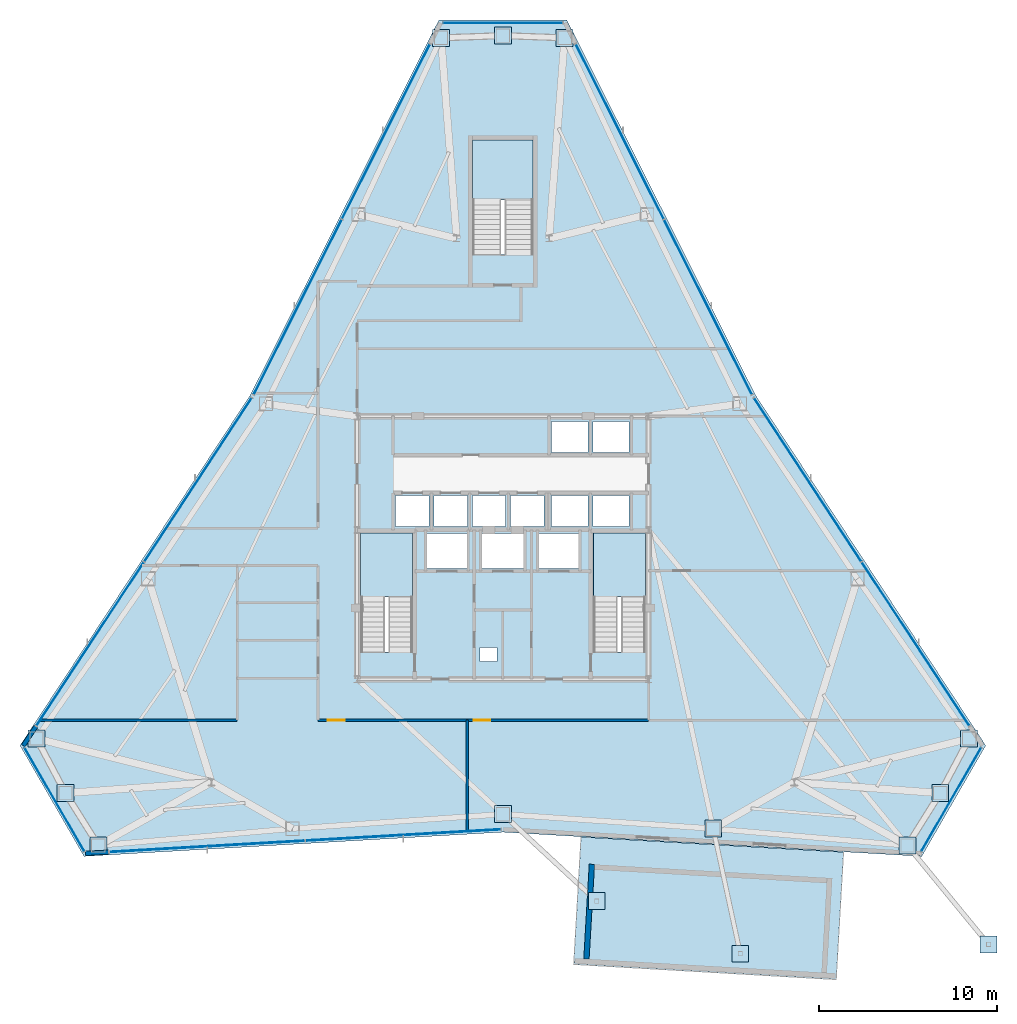
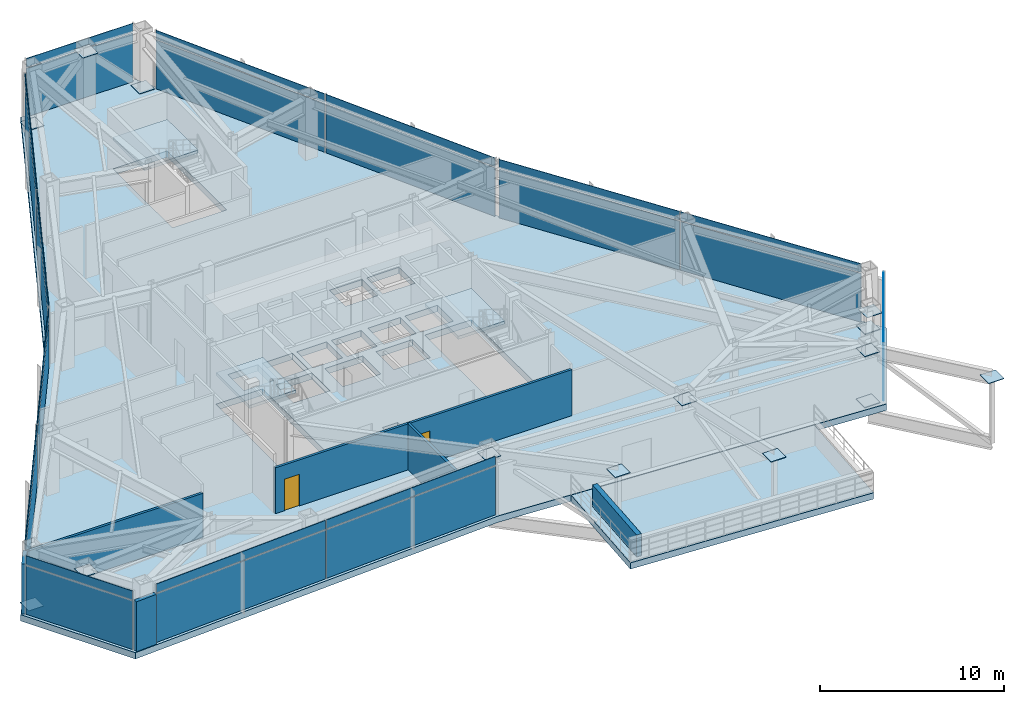
# One storey, part 8 of 13: 41 plates, 6 walls, 5 slabs, 2 doors, 2 openings, 11 elements without a shape of their own.
"""IFC4 building model written with IfcOpenShell, lengths in metres."""

from ifc_helpers import new_model, si_unit, direction, frame, frame_2d, origin, origin_2d, place, context, subcontext, project, spatial, polyline, rectangle, outline, extrude, source, transform, mapped, material, layer, layer_set, type_object, type_shapes, element, fill, aggregate, save


model = new_model("IFC4")

# Units and contexts
model_context = context("Model", 3, precision=1e-05, world=origin(), true_north=direction((0.0, 1.0)))
body_context = subcontext(model_context, "Body", "Model", "MODEL_VIEW")
ifc_project = project(units=[si_unit("LENGTHUNIT", "METRE"), si_unit("AREAUNIT", "SQUARE_METRE"), si_unit("VOLUMEUNIT", "CUBIC_METRE"), si_unit("PLANEANGLEUNIT", "RADIAN"), si_unit("MASSUNIT", "GRAM", prefix="KILO")], contexts=[model_context])

# Site, building, storey
site_placement = place(None, origin())
site = spatial("IfcSite", under=ifc_project, at=site_placement, CompositionType="ELEMENT")
building_placement = place(site_placement, origin())
building = spatial("IfcBuilding", under=site, at=building_placement, Name="Varakhsha Concourse Tower", CompositionType="ELEMENT")
storey_placement = place(building_placement, frame((0.0, 0.0, 196.5)))
storey = spatial("IfcBuildingStorey", under=building, at=storey_placement, Name="L56", CompositionType="ELEMENT", Elevation=196.5)

# Slab
ifc_material_1 = material(Name="Concrete fc 45 MPa", Category="concrete")
ifc_layer_1 = layer(ifc_material_1, 0.419921875, Name="SL-FLR-420")
ifc_layer_set_1 = layer_set([ifc_layer_1], Name="Concrete fc 45 MPa")
slab_type_1 = type_object("IfcSlabType", Name="SL-FLR-420", PredefinedType="FLOOR", material=ifc_layer_set_1)
slab_1_placement = place(storey_placement, frame((0.0, 0.0, -0.419921875)))
element("IfcSlab", 1, at=slab_1_placement, inside=storey, type_object=slab_type_1, Name="L56 Composite Structural Slab", PredefinedType="FLOOR", context=body_context, shape_type="SweptSolid", body=[
    extrude(outline(polyline([(43.60009765625, 53.497802734375), (36.39990234375, 53.497802734375), (25.792236328125, 32.40283203125), (12.827392578125, 12.668701171875), (16.42724609375, 6.433349609375), (40.0, 7.794189453125), (63.57275390625, 6.433349609375), (67.172607421875, 12.668701171875), (54.207763671875, 32.40283203125), (43.60009765625, 53.497802734375)]), holes=[polyline([(34.919921875, 17.93994140625), (34.919921875, 24.6298828125), (32.0, 24.6298828125), (32.0, 17.93994140625), (34.919921875, 17.93994140625)]), polyline([(48.02001953125, 17.93994140625), (48.02001953125, 24.6298828125), (45.10009765625, 24.6298828125), (45.10009765625, 17.93994140625), (48.02001953125, 17.93994140625)]), polyline([(41.699951171875, 40.300048828125), (41.699951171875, 46.75), (38.300048828125, 46.75), (38.300048828125, 40.300048828125), (41.699951171875, 40.300048828125)]), polyline([(33.9599609375, 25.0), (35.840087890625, 25.0), (35.840087890625, 26.739990234375), (33.9599609375, 26.739990234375), (33.9599609375, 25.0)]), polyline([(36.1201171875, 25.0), (38.0, 25.0), (38.0, 26.739990234375), (36.1201171875, 26.739990234375), (36.1201171875, 25.0)]), polyline([(38.280029296875, 25.0), (40.159912109375, 25.0), (40.159912109375, 26.739990234375), (38.280029296875, 26.739990234375), (38.280029296875, 25.0)]), polyline([(40.43994140625, 25.0), (42.320068359375, 25.0), (42.320068359375, 26.739990234375), (40.43994140625, 26.739990234375), (40.43994140625, 25.0)]), polyline([(42.739990234375, 29.159912109375), (44.780029296875, 29.159912109375), (44.780029296875, 30.89990234375), (42.739990234375, 30.89990234375), (42.739990234375, 29.159912109375)]), polyline([(45.06005859375, 29.159912109375), (47.10009765625, 29.159912109375), (47.10009765625, 30.89990234375), (45.06005859375, 30.89990234375), (45.06005859375, 29.159912109375)]), polyline([(42.739990234375, 25.0), (44.780029296875, 25.0), (44.780029296875, 26.739990234375), (42.739990234375, 26.739990234375), (42.739990234375, 25.0)]), polyline([(45.06005859375, 25.0), (47.10009765625, 25.0), (47.10009765625, 26.739990234375), (45.06005859375, 26.739990234375), (45.06005859375, 25.0)]), polyline([(35.7099609375, 22.639892578125), (37.989990234375, 22.639892578125), (37.989990234375, 24.60009765625), (35.7099609375, 24.60009765625), (35.7099609375, 22.639892578125)]), polyline([(42.010009765625, 22.639892578125), (44.2900390625, 22.639892578125), (44.2900390625, 24.60009765625), (42.010009765625, 24.60009765625), (42.010009765625, 22.639892578125)]), polyline([(38.81005859375, 22.639892578125), (41.18994140625, 22.639892578125), (41.18994140625, 24.60009765625), (38.81005859375, 24.60009765625), (38.81005859375, 22.639892578125)]), polyline([(38.719970703125, 17.39990234375), (39.679931640625, 17.39990234375), (39.679931640625, 18.199951171875), (38.719970703125, 18.199951171875), (38.719970703125, 17.39990234375)])]), origin(), (0.0, 0.0, 1.0), 0.419921875),
])

# Stair, slab
stair_type_1 = type_object("IfcStairType", Name="ST-DOGLEG-1360", PredefinedType="HALF_TURN_STAIR", material=ifc_material_1)
stair_1_placement = place(storey_placement, origin())
stair_1 = element("IfcStair", 2, at=stair_1_placement, inside=storey, type_object=stair_type_1, Name="L56 Protected Exit Stair ST1", PredefinedType="HALF_TURN_STAIR")
ifc_layer_2 = layer(ifc_material_1, 0.199951171875, Name="SL-LAND-200")
ifc_layer_set_2 = layer_set([ifc_layer_2], Name="Concrete fc 45 MPa")
slab_type_2 = type_object("IfcSlabType", Name="SL-LAND-200", PredefinedType="LANDING", material=ifc_layer_set_2)
slab_2_placement = place(storey_placement, frame((0.0, 0.0, 1.89990234375)))
slab_2 = element("IfcSlab", 3, at=slab_2_placement, type_object=slab_type_2, Name="ST1 landing 1", PredefinedType="LANDING", context=body_context, shape_type="SweptSolid", body=[
    extrude(outline(polyline([(34.919921875, 21.02001953125), (34.919921875, 24.6298828125), (32.0, 24.6298828125), (32.0, 21.02001953125), (34.919921875, 21.02001953125)])), origin(), (0.0, 0.0, 1.0), 0.2001953125),
])
aggregate(stair_1, [slab_2])

stair_2_placement = place(storey_placement, origin())
stair_2 = element("IfcStair", 4, at=stair_2_placement, inside=storey, type_object=stair_type_1, Name="L56 Protected Exit Stair ST2", PredefinedType="HALF_TURN_STAIR")
slab_3_placement = place(storey_placement, frame((0.0, 0.0, 1.89990234375)))
slab_3 = element("IfcSlab", 5, at=slab_3_placement, type_object=slab_type_2, Name="ST2 landing 1", PredefinedType="LANDING", context=body_context, shape_type="SweptSolid", body=[
    extrude(outline(polyline([(48.02001953125, 21.02001953125), (48.02001953125, 24.6298828125), (45.10009765625, 24.6298828125), (45.10009765625, 21.02001953125), (48.02001953125, 21.02001953125)])), origin(), (0.0, 0.0, 1.0), 0.2001953125),
])
aggregate(stair_2, [slab_3])

stair_type_2 = type_object("IfcStairType", Name="ST-DOGLEG-1600", PredefinedType="HALF_TURN_STAIR", material=ifc_material_1)
stair_3_placement = place(storey_placement, origin())
stair_3 = element("IfcStair", 6, at=stair_3_placement, inside=storey, type_object=stair_type_2, Name="L56 Protected Exit Stair ST5", PredefinedType="HALF_TURN_STAIR")
slab_4_placement = place(storey_placement, frame((0.0, 0.0, 1.89990234375)))
slab_4 = element("IfcSlab", 7, at=slab_4_placement, type_object=slab_type_2, Name="ST5 landing 1", PredefinedType="LANDING", context=body_context, shape_type="SweptSolid", body=[
    extrude(outline(polyline([(41.699951171875, 43.3798828125), (41.699951171875, 46.75), (38.300048828125, 46.75), (38.300048828125, 43.3798828125), (41.699951171875, 43.3798828125)])), origin(), (0.0, 0.0, 1.0), 0.2001953125),
])
aggregate(stair_3, [slab_4])

# Slab
ifc_layer_3 = layer(ifc_material_1, 0.419921875, Name="SL-POOL-350")
ifc_layer_set_3 = layer_set([ifc_layer_3], Name="Concrete fc 45 MPa")
slab_type_3 = type_object("IfcSlabType", Name="SL-POOL-350", PredefinedType="FLOOR", material=ifc_layer_set_3)
slab_5_placement = place(storey_placement, frame((0.0, 0.0, -0.419921875)))
element("IfcSlab", 8, at=slab_5_placement, inside=storey, type_object=slab_type_3, Name="L56 Cantilevered Sky Pool Terrace Deck", PredefinedType="FLOOR", context=body_context, shape_type="SweptSolid", body=[
    extrude(outline(polyline([(44.397705078125, 7.525390625), (59.173095703125, 6.67236328125), (58.759033203125, -0.500732421875), (43.983642578125, 0.352294921875), (44.397705078125, 7.525390625)])), origin(), (0.0, 0.0, 1.0), 0.419921875),
])

# Plates
ifc_material_2 = material(Name="Structural Steel ASTM A572 Grade 50", Category="steel")
ifc_layer_4 = layer(ifc_material_2, 0.030029296875, Name="PL-ENDCAP-950")
ifc_layer_set_4 = layer_set([ifc_layer_4], Name="Structural Steel ASTM A572 Grade 50")
plate_type_1 = type_object("IfcPlateType", Name="PL-ENDCAP-950", PredefinedType="USERDEFINED", material=ifc_layer_set_4)
shared_shape_1 = source(origin(), body_context, "Body", "SweptSolid", [
    extrude(rectangle(XDim=0.949951171875, YDim=0.949951171875, at=origin_2d()), origin(), (0.0, 0.0, 1.0), 0.030029296875),
])
type_shapes(plate_type_1, [shared_shape_1])
for number, where, z_axis, x_axis, name in (
    (9, (43.4765625, 52.493408203125, 0.10498046875), (0.0, 0.0, 1.0), (1.0, 0.0, 0.0), "Hollow Section End Cap GP-NODE-L56-0574"),
    (10, (40.0, 52.617919921875, 3.625), (0.0, 0.0, 1.0), (1.0, 0.0, 0.0), "Hollow Section End Cap GP-NODE-L56-0575"),
    (11, (36.5234375, 52.493408203125, 0.10498046875), (0.0, 0.0, 1.0), (1.0, 0.0, 0.0), "Hollow Section End Cap GP-NODE-L56-0576"),
    (12, (13.7587890625, 13.06396484375, 0.10498046875), (0.0, 0.0, 1.0), (1.0, 0.0, 0.0), "Hollow Section End Cap GP-NODE-L56-0577"),
    (13, (15.389404296875, 9.990966796875, 3.625), (0.0, 0.0, 1.0), (1.0, 0.0, 0.0), "Hollow Section End Cap GP-NODE-L56-0578"),
    (14, (17.235595703125, 7.04248046875, 0.10498046875), (0.0, 0.0, 1.0), (1.0, 0.0, 0.0), "Hollow Section End Cap GP-NODE-L56-0579"),
    (15, (62.764404296875, 7.04248046875, 0.10498046875), (0.0, 0.0, 1.0), (1.0, 0.0, 0.0), "Hollow Section End Cap GP-NODE-L56-0580"),
    (16, (64.610595703125, 9.990966796875, 3.625), (0.0, 0.0, 1.0), (1.0, 0.0, 0.0), "Hollow Section End Cap GP-NODE-L56-0581"),
    (17, (66.2412109375, 13.06396484375, 0.10498046875), (0.0, 0.0, 1.0), (1.0, 0.0, 0.0), "Hollow Section End Cap GP-NODE-L56-0582"),
    (18, (40.0, 8.806396484375, 3.47509765625), (0.0, 0.0, 1.0), (1.0, 0.0, 0.0), "Hollow Section End Cap GP-NODE-L56-0868"),
    (19, (45.28271484375, 3.914306640625, 3.47509765625), (0.0, 0.0, 1.0), (1.0, 0.0, 0.0), "Hollow Section End Cap GP-NODE-L56-0869"),
    (20, (51.837158203125, 7.9921875, 3.47509765625), (0.0, 0.0, 1.0), (1.0, 0.0, 0.0), "Hollow Section End Cap GP-NODE-L56-0870"),
    (21, (53.35986328125, 0.955078125, 3.47509765625), (0.0, 0.0, 1.0), (1.0, 0.0, 0.0), "Hollow Section End Cap GP-NODE-L56-0871"),
    (22, (62.764404296875, 7.04248046875, 3.47509765625), (0.0, 0.0, 1.0), (1.0, 0.0, 0.0), "Hollow Section End Cap GP-NODE-L56-0872"),
    (23, (67.33056640625, 1.475341796875, 3.47509765625), (0.0, 0.0, 1.0), (1.0, 0.0, 0.0), "Hollow Section End Cap GP-NODE-L56-0873"),
):
    element("IfcPlate", number, at=place(storey_placement, frame(where, z_axis=z_axis, x_axis=x_axis)), inside=storey, type_object=plate_type_1, Name=name, ObjectType="END PLATE", PredefinedType="USERDEFINED", context=body_context, shape_type="MappedRepresentation", body=[
        mapped(shared_shape_1, transform((0.0, 0.0, 0.0), scale=1.0)),
    ])

# Curtain wall, plates
ifc_material_3 = material(Name="Anodised Bronze Architectural Aluminium AA 6063-T6", Category="aluminium")
ifc_layer_5 = layer(ifc_material_3, 0.2099609375, Name="CW-SYS-04")
ifc_layer_set_5 = layer_set([ifc_layer_5], Name="Anodised Bronze Architectural Aluminium AA 6063-T6")
curtain_wall_type = type_object("IfcCurtainWallType", Name="CW-SYS-04", PredefinedType="NOTDEFINED", material=ifc_layer_set_5)
curtain_wall_1_placement = place(storey_placement, origin())
curtain_wall_1 = element("IfcCurtainWall", 24, at=curtain_wall_1_placement, inside=storey, type_object=curtain_wall_type, Name="L56 Chamfer Curtain Wall F1", PredefinedType="NOTDEFINED")
ifc_material_4 = material(Name="Insulated Anodised Bronze Aluminium Spandrel 36 mm", Category="aluminium")
ifc_layer_6 = layer(ifc_material_4, 0.035888671875, Name="CWP-SPN-36")
ifc_layer_set_6 = layer_set([ifc_layer_6], Name="Insulated Anodised Bronze Aluminium Spandrel 36 mm")
plate_type_2 = type_object("IfcPlateType", Name="CWP-SPN-36", PredefinedType="USERDEFINED", material=ifc_layer_set_6)
shared_shape_2 = source(origin(), body_context, "Body", "SweptSolid", [
    extrude(rectangle(XDim=6.69091796875, YDim=0.035888671875, at=origin_2d()), origin(), (0.0, 0.0, 1.0), 3.22607421875),
])
plate_1_placement = place(storey_placement, frame((40.0, 53.337890625, 0.031982421875), z_axis=(0.0, 0.0, 1.0), x_axis=(1.0, 0.0, 0.0)))
plate_1 = element("IfcPlate", 25, at=plate_1_placement, type_object=plate_type_2, Name="CW-L56-F1 Panel 00-00", ObjectType="SPANDREL", PredefinedType="USERDEFINED", context=body_context, shape_type="MappedRepresentation", body=[
    mapped(shared_shape_2, transform((0.0, 0.0, 0.0), scale=1.0)),
])
shared_shape_3 = source(origin(), body_context, "Body", "SweptSolid", [
    extrude(rectangle(XDim=6.69091796875, YDim=0.035888671875, at=origin_2d()), origin(), (0.0, 0.0, 1.0), 0.5859375),
])
plate_2_placement = place(storey_placement, frame((40.0, 53.337890625, 3.322021484375), z_axis=(0.0, 0.0, 1.0), x_axis=(1.0, 0.0, 0.0)))
plate_2 = element("IfcPlate", 26, at=plate_2_placement, type_object=plate_type_2, Name="CW-L56-F1 Panel 00-01", ObjectType="SPANDREL", PredefinedType="USERDEFINED", context=body_context, shape_type="MappedRepresentation", body=[
    mapped(shared_shape_3, transform((0.0, 0.0, 0.0), scale=1.0)),
])
aggregate(curtain_wall_1, [plate_1, plate_2])

curtain_wall_2_placement = place(storey_placement, origin())
curtain_wall_2 = element("IfcCurtainWall", 27, at=curtain_wall_2_placement, inside=storey, type_object=curtain_wall_type, Name="L56 Crystal Curtain Wall F2", PredefinedType="NOTDEFINED")
ifc_material_5 = material(Name="Low-E Triple Insulating Glass IGU 44 mm", Category="glass")
ifc_layer_7 = layer(ifc_material_5, 0.0439453125, Name="CWP-IGU-44")
ifc_layer_set_7 = layer_set([ifc_layer_7], Name="Low-E Triple Insulating Glass IGU 44 mm")
plate_type_3 = type_object("IfcPlateType", Name="CWP-IGU-44", PredefinedType="CURTAIN_PANEL", material=ifc_layer_set_7)
shared_shape_4 = source(origin(), body_context, "Body", "SweptSolid", [
    extrude(rectangle(XDim=10.987060546875, YDim=0.0439453125, at=origin_2d()), origin(), (0.0, 0.0, 1.0), 3.22607421875),
])
type_shapes(plate_type_3, [shared_shape_4])
plate_3_placement = place(storey_placement, frame((28.45458984375, 37.34130859375, 0.031982421875), z_axis=(0.0, 0.0, 1.0), x_axis=(0.44925506915, 0.893403538634, 0.0)))
plate_3 = element("IfcPlate", 28, at=plate_3_placement, type_object=plate_type_3, Name="CW-L56-F2 Panel 00-00", PredefinedType="CURTAIN_PANEL", context=body_context, shape_type="MappedRepresentation", body=[
    mapped(shared_shape_4, transform((0.0, 0.0, 0.0), scale=1.0)),
])
plate_4_placement = place(storey_placement, frame((33.42138671875, 47.21875, 0.031982421875), z_axis=(0.0, 0.0, 1.0), x_axis=(0.44925506915, 0.893403538634, 0.0)))
plate_4 = element("IfcPlate", 29, at=plate_4_placement, type_object=plate_type_3, Name="CW-L56-F2 Panel 01-00", PredefinedType="CURTAIN_PANEL", context=body_context, shape_type="MappedRepresentation", body=[
    mapped(shared_shape_4, transform((0.0, 0.0, 0.0), scale=1.0)),
])

curtain_wall_3_placement = place(storey_placement, origin())
curtain_wall_3 = element("IfcCurtainWall", 30, at=curtain_wall_3_placement, inside=storey, type_object=curtain_wall_type, Name="L56 Crystal Curtain Wall F3", PredefinedType="NOTDEFINED")
plate_5_placement = place(storey_placement, frame((16.77587890625, 18.3876953125, 0.031982421875), z_axis=(0.0, 0.0, 1.0), x_axis=(0.549079708329, 0.835769988634, 0.0)))
plate_5 = element("IfcPlate", 31, at=plate_5_placement, type_object=plate_type_3, Name="CW-L56-F3 Panel 00-00", PredefinedType="CURTAIN_PANEL", context=body_context, shape_type="MappedRepresentation", body=[
    mapped(shared_shape_4, transform((0.0, 0.0, 0.0), scale=1.0)),
])
plate_6_placement = place(storey_placement, frame((22.8466796875, 27.628173828125, 0.031982421875), z_axis=(0.0, 0.0, 1.0), x_axis=(0.549079708329, 0.835769988634, 0.0)))
plate_6 = element("IfcPlate", 32, at=plate_6_placement, type_object=plate_type_3, Name="CW-L56-F3 Panel 01-00", PredefinedType="CURTAIN_PANEL", context=body_context, shape_type="MappedRepresentation", body=[
    mapped(shared_shape_4, transform((0.0, 0.0, 0.0), scale=1.0)),
])

curtain_wall_4_placement = place(storey_placement, origin())
curtain_wall_4 = element("IfcCurtainWall", 33, at=curtain_wall_4_placement, inside=storey, type_object=curtain_wall_type, Name="L56 Crystal Curtain Wall F5", PredefinedType="NOTDEFINED")
plate_7_placement = place(storey_placement, frame((34.39208984375, 7.630859375, 0.031982421875), z_axis=(0.0, 0.0, 1.0), x_axis=(-0.998337493671, -0.05763895151, 0.0)))
plate_7 = element("IfcPlate", 34, at=plate_7_placement, type_object=plate_type_3, Name="CW-L56-F5 Panel 00-00", PredefinedType="CURTAIN_PANEL", context=body_context, shape_type="MappedRepresentation", body=[
    mapped(shared_shape_4, transform((0.0, 0.0, 0.0), scale=1.0)),
])
plate_8_placement = place(storey_placement, frame((23.3544921875, 6.993408203125, 0.031982421875), z_axis=(0.0, 0.0, 1.0), x_axis=(-0.998337493671, -0.05763895151, 0.0)))
plate_8 = element("IfcPlate", 35, at=plate_8_placement, type_object=plate_type_3, Name="CW-L56-F5 Panel 01-00", PredefinedType="CURTAIN_PANEL", context=body_context, shape_type="MappedRepresentation", body=[
    mapped(shared_shape_4, transform((0.0, 0.0, 0.0), scale=1.0)),
])

curtain_wall_5_placement = place(storey_placement, origin())
curtain_wall_5 = element("IfcCurtainWall", 36, at=curtain_wall_5_placement, inside=storey, type_object=curtain_wall_type, Name="L56 Crystal Curtain Wall F8", PredefinedType="NOTDEFINED")
plate_9_placement = place(storey_placement, frame((57.1533203125, 27.6279296875, 0.031982421875), z_axis=(0.0, 0.0, 1.0), x_axis=(0.549079708329, -0.835769988634, 0.0)))
plate_9 = element("IfcPlate", 37, at=plate_9_placement, type_object=plate_type_3, Name="CW-L56-F8 Panel 00-00", PredefinedType="CURTAIN_PANEL", context=body_context, shape_type="MappedRepresentation", body=[
    mapped(shared_shape_4, transform((0.0, 0.0, 0.0), scale=1.0)),
])
plate_10_placement = place(storey_placement, frame((63.22412109375, 18.3876953125, 0.031982421875), z_axis=(0.0, 0.0, 1.0), x_axis=(0.549079708329, -0.835769988634, 0.0)))
plate_10 = element("IfcPlate", 38, at=plate_10_placement, type_object=plate_type_3, Name="CW-L56-F8 Panel 01-00", PredefinedType="CURTAIN_PANEL", context=body_context, shape_type="MappedRepresentation", body=[
    mapped(shared_shape_4, transform((0.0, 0.0, 0.0), scale=1.0)),
])

curtain_wall_6_placement = place(storey_placement, origin())
curtain_wall_6 = element("IfcCurtainWall", 39, at=curtain_wall_6_placement, inside=storey, type_object=curtain_wall_type, Name="L56 Crystal Curtain Wall F9", PredefinedType="NOTDEFINED")
plate_11_placement = place(storey_placement, frame((46.57861328125, 47.21875, 0.031982421875), z_axis=(0.0, 0.0, 1.0), x_axis=(0.44925506915, -0.893403538634, 0.0)))
plate_11 = element("IfcPlate", 40, at=plate_11_placement, type_object=plate_type_3, Name="CW-L56-F9 Panel 00-00", PredefinedType="CURTAIN_PANEL", context=body_context, shape_type="MappedRepresentation", body=[
    mapped(shared_shape_4, transform((0.0, 0.0, 0.0), scale=1.0)),
])
plate_12_placement = place(storey_placement, frame((51.54541015625, 37.34130859375, 0.031982421875), z_axis=(0.0, 0.0, 1.0), x_axis=(0.44925506915, -0.893403538634, 0.0)))
plate_12 = element("IfcPlate", 41, at=plate_12_placement, type_object=plate_type_3, Name="CW-L56-F9 Panel 01-00", PredefinedType="CURTAIN_PANEL", context=body_context, shape_type="MappedRepresentation", body=[
    mapped(shared_shape_4, transform((0.0, 0.0, 0.0), scale=1.0)),
])

# Plate
shared_shape_5 = source(origin(), body_context, "Body", "SweptSolid", [
    extrude(rectangle(XDim=10.987060546875, YDim=0.035888671875, at=origin_2d()), origin(), (0.0, 0.0, 1.0), 0.5859375),
])
plate_13_placement = place(storey_placement, frame((28.45458984375, 37.34130859375, 3.322021484375), z_axis=(0.0, 0.0, 1.0), x_axis=(0.44925506915, 0.893403538634, 0.0)))
plate_13 = element("IfcPlate", 42, at=plate_13_placement, type_object=plate_type_2, Name="CW-L56-F2 Panel 00-01", ObjectType="SPANDREL", PredefinedType="USERDEFINED", context=body_context, shape_type="MappedRepresentation", body=[
    mapped(shared_shape_5, transform((0.0, 0.0, 0.0), scale=1.0)),
])

plate_14_placement = place(storey_placement, frame((33.42138671875, 47.21875, 3.322021484375), z_axis=(0.0, 0.0, 1.0), x_axis=(0.44925506915, 0.893403538634, 0.0)))
plate_14 = element("IfcPlate", 43, at=plate_14_placement, type_object=plate_type_2, Name="CW-L56-F2 Panel 01-01", ObjectType="SPANDREL", PredefinedType="USERDEFINED", context=body_context, shape_type="MappedRepresentation", body=[
    mapped(shared_shape_5, transform((0.0, 0.0, 0.0), scale=1.0)),
])

aggregate(curtain_wall_2, [plate_3, plate_13, plate_4, plate_14])

plate_15_placement = place(storey_placement, frame((16.77587890625, 18.3876953125, 3.322021484375), z_axis=(0.0, 0.0, 1.0), x_axis=(0.549079708329, 0.835769988634, 0.0)))
plate_15 = element("IfcPlate", 44, at=plate_15_placement, type_object=plate_type_2, Name="CW-L56-F3 Panel 00-01", ObjectType="SPANDREL", PredefinedType="USERDEFINED", context=body_context, shape_type="MappedRepresentation", body=[
    mapped(shared_shape_5, transform((0.0, 0.0, 0.0), scale=1.0)),
])

plate_16_placement = place(storey_placement, frame((22.8466796875, 27.628173828125, 3.322021484375), z_axis=(0.0, 0.0, 1.0), x_axis=(0.549079708329, 0.835769988634, 0.0)))
plate_16 = element("IfcPlate", 45, at=plate_16_placement, type_object=plate_type_2, Name="CW-L56-F3 Panel 01-01", ObjectType="SPANDREL", PredefinedType="USERDEFINED", context=body_context, shape_type="MappedRepresentation", body=[
    mapped(shared_shape_5, transform((0.0, 0.0, 0.0), scale=1.0)),
])

aggregate(curtain_wall_3, [plate_5, plate_15, plate_6, plate_16])

plate_17_placement = place(storey_placement, frame((34.39208984375, 7.630859375, 3.322021484375), z_axis=(0.0, 0.0, 1.0), x_axis=(-0.998337493671, -0.05763895151, 0.0)))
plate_17 = element("IfcPlate", 46, at=plate_17_placement, type_object=plate_type_2, Name="CW-L56-F5 Panel 00-01", ObjectType="SPANDREL", PredefinedType="USERDEFINED", context=body_context, shape_type="MappedRepresentation", body=[
    mapped(shared_shape_5, transform((0.0, 0.0, 0.0), scale=1.0)),
])

plate_18_placement = place(storey_placement, frame((23.3544921875, 6.993408203125, 3.322021484375), z_axis=(0.0, 0.0, 1.0), x_axis=(-0.998337493671, -0.05763895151, 0.0)))
plate_18 = element("IfcPlate", 47, at=plate_18_placement, type_object=plate_type_2, Name="CW-L56-F5 Panel 01-01", ObjectType="SPANDREL", PredefinedType="USERDEFINED", context=body_context, shape_type="MappedRepresentation", body=[
    mapped(shared_shape_5, transform((0.0, 0.0, 0.0), scale=1.0)),
])

aggregate(curtain_wall_4, [plate_7, plate_17, plate_8, plate_18])

plate_19_placement = place(storey_placement, frame((57.1533203125, 27.6279296875, 3.322021484375), z_axis=(0.0, 0.0, 1.0), x_axis=(0.549079708329, -0.835769988634, 0.0)))
plate_19 = element("IfcPlate", 48, at=plate_19_placement, type_object=plate_type_2, Name="CW-L56-F8 Panel 00-01", ObjectType="SPANDREL", PredefinedType="USERDEFINED", context=body_context, shape_type="MappedRepresentation", body=[
    mapped(shared_shape_5, transform((0.0, 0.0, 0.0), scale=1.0)),
])

plate_20_placement = place(storey_placement, frame((63.22412109375, 18.3876953125, 3.322021484375), z_axis=(0.0, 0.0, 1.0), x_axis=(0.549079708329, -0.835769988634, 0.0)))
plate_20 = element("IfcPlate", 49, at=plate_20_placement, type_object=plate_type_2, Name="CW-L56-F8 Panel 01-01", ObjectType="SPANDREL", PredefinedType="USERDEFINED", context=body_context, shape_type="MappedRepresentation", body=[
    mapped(shared_shape_5, transform((0.0, 0.0, 0.0), scale=1.0)),
])

aggregate(curtain_wall_5, [plate_9, plate_19, plate_10, plate_20])

plate_21_placement = place(storey_placement, frame((46.57861328125, 47.21875, 3.322021484375), z_axis=(0.0, 0.0, 1.0), x_axis=(0.44925506915, -0.893403538634, 0.0)))
plate_21 = element("IfcPlate", 50, at=plate_21_placement, type_object=plate_type_2, Name="CW-L56-F9 Panel 00-01", ObjectType="SPANDREL", PredefinedType="USERDEFINED", context=body_context, shape_type="MappedRepresentation", body=[
    mapped(shared_shape_5, transform((0.0, 0.0, 0.0), scale=1.0)),
])

plate_22_placement = place(storey_placement, frame((51.54541015625, 37.34130859375, 3.322021484375), z_axis=(0.0, 0.0, 1.0), x_axis=(0.44925506915, -0.893403538634, 0.0)))
plate_22 = element("IfcPlate", 51, at=plate_22_placement, type_object=plate_type_2, Name="CW-L56-F9 Panel 01-01", ObjectType="SPANDREL", PredefinedType="USERDEFINED", context=body_context, shape_type="MappedRepresentation", body=[
    mapped(shared_shape_5, transform((0.0, 0.0, 0.0), scale=1.0)),
])

aggregate(curtain_wall_6, [plate_11, plate_21, plate_12, plate_22])

# Curtain wall, plate
curtain_wall_7_placement = place(storey_placement, origin())
curtain_wall_7 = element("IfcCurtainWall", 52, at=curtain_wall_7_placement, inside=storey, type_object=curtain_wall_type, Name="L56 Chamfer Curtain Wall F4", PredefinedType="NOTDEFINED")
shared_shape_6 = source(origin(), body_context, "Body", "SweptSolid", [
    extrude(rectangle(XDim=6.691162109375, YDim=0.035888671875, at=origin_2d()), origin(), (0.0, 0.0, 1.0), 3.22607421875),
])
plate_23_placement = place(storey_placement, frame((14.765869140625, 9.631103515625, 0.031982421875), z_axis=(0.0, 0.0, 1.0), x_axis=(-0.499995465495, 0.866028021766, 0.0)))
plate_23 = element("IfcPlate", 53, at=plate_23_placement, type_object=plate_type_2, Name="CW-L56-F4 Panel 00-00", ObjectType="SPANDREL", PredefinedType="USERDEFINED", context=body_context, shape_type="MappedRepresentation", body=[
    mapped(shared_shape_6, transform((0.0, 0.0, 0.0), scale=1.0)),
])

curtain_wall_8_placement = place(storey_placement, origin())
curtain_wall_8 = element("IfcCurtainWall", 54, at=curtain_wall_8_placement, inside=storey, type_object=curtain_wall_type, Name="L56 Chamfer Curtain Wall F7", PredefinedType="NOTDEFINED")
plate_24_placement = place(storey_placement, frame((65.234130859375, 9.631103515625, 0.031982421875), z_axis=(0.0, 0.0, 1.0), x_axis=(-0.499995465495, -0.866028021766, 0.0)))
plate_24 = element("IfcPlate", 55, at=plate_24_placement, type_object=plate_type_2, Name="CW-L56-F7 Panel 00-00", ObjectType="SPANDREL", PredefinedType="USERDEFINED", context=body_context, shape_type="MappedRepresentation", body=[
    mapped(shared_shape_6, transform((0.0, 0.0, 0.0), scale=1.0)),
])

# Plate
shared_shape_7 = source(origin(), body_context, "Body", "SweptSolid", [
    extrude(rectangle(XDim=6.691162109375, YDim=0.035888671875, at=origin_2d()), origin(), (0.0, 0.0, 1.0), 0.5859375),
])
type_shapes(plate_type_2, [shared_shape_2, shared_shape_3, shared_shape_5, shared_shape_6, shared_shape_7])
plate_25_placement = place(storey_placement, frame((14.765869140625, 9.631103515625, 3.322021484375), z_axis=(0.0, 0.0, 1.0), x_axis=(-0.499995465495, 0.866028021766, 0.0)))
plate_25 = element("IfcPlate", 56, at=plate_25_placement, type_object=plate_type_2, Name="CW-L56-F4 Panel 00-01", ObjectType="SPANDREL", PredefinedType="USERDEFINED", context=body_context, shape_type="MappedRepresentation", body=[
    mapped(shared_shape_7, transform((0.0, 0.0, 0.0), scale=1.0)),
])

aggregate(curtain_wall_7, [plate_23, plate_25])

plate_26_placement = place(storey_placement, frame((65.234130859375, 9.631103515625, 3.322021484375), z_axis=(0.0, 0.0, 1.0), x_axis=(-0.499995465495, -0.866028021766, 0.0)))
plate_26 = element("IfcPlate", 57, at=plate_26_placement, type_object=plate_type_2, Name="CW-L56-F7 Panel 00-01", ObjectType="SPANDREL", PredefinedType="USERDEFINED", context=body_context, shape_type="MappedRepresentation", body=[
    mapped(shared_shape_7, transform((0.0, 0.0, 0.0), scale=1.0)),
])

aggregate(curtain_wall_8, [plate_24, plate_26])

# Walls
ifc_layer_8 = layer(ifc_material_1, 0.239990234375, Name="WL-EXT-CRN-240")
ifc_layer_set_8 = layer_set([ifc_layer_8], Name="Concrete fc 45 MPa")
wall_type_1 = type_object("IfcWallType", Name="WL-EXT-CRN-240", PredefinedType="SHEAR", material=ifc_layer_set_8)
for number, where, z_axis, x_axis, name in (
    (58, (13.722900390625, 13.740478515625, 0.0), (0.0, 0.0, 1.0), (-0.549064814004, -0.835779773638, 0.0), "L56 Wind-Corner Shoulder Wall F3"),
    (59, (16.512939453125, 6.598388671875, 0.0), (0.0, 0.0, 1.0), (0.998328014106, 0.057802908669, 0.0), "L56 Wind-Corner Shoulder Wall F5"),
):
    element("IfcWall", number, at=place(storey_placement, frame(where, z_axis=z_axis, x_axis=x_axis)), inside=storey, type_object=wall_type_1, Name=name, PredefinedType="SHEAR", context=body_context, shape_type="SweptSolid", body=[
        extrude(rectangle(XDim=1.29248046875, YDim=0.239990234375, at=frame_2d((0.646240234375, 0.0))), origin(), (0.0, 0.0, 1.0), 3.31298828125),
    ])
ifc_layer_9 = layer(ifc_material_1, 0.300048828125, Name="WL-EXT-POD-300")
ifc_layer_set_9 = layer_set([ifc_layer_9], Name="Concrete fc 45 MPa")
wall_type_2 = type_object("IfcWallType", Name="WL-EXT-POD-300", PredefinedType="STANDARD", material=ifc_layer_set_9)
wall_1_placement = place(storey_placement, frame((45.01025390625, 5.987548828125, 0.0), z_axis=(0.0, 0.0, 1.0), x_axis=(-0.057659687079, -0.998336296288, 0.0)))
element("IfcWall", 60, at=wall_1_placement, inside=storey, type_object=wall_type_2, Name="L56 Sky Pool Basin Side Wall 1", PredefinedType="STANDARD", context=body_context, shape_type="SweptSolid", body=[
    extrude(rectangle(XDim=5.3349609375, YDim=0.300048828125, at=frame_2d((2.66748046875, 0.0))), origin(), (0.0, 0.0, 1.0), 1.449951171875),
])

# Wall, openings, doors
ifc_material_6 = material(Name="Fire-Rated Type X Gypsum Partition Assembly", Category="gypsum")
ifc_layer_10 = layer(ifc_material_6, 0.14990234375, Name="WL-PART-150")
ifc_layer_set_10 = layer_set([ifc_layer_10], Name="Fire-Rated Type X Gypsum Partition Assembly")
wall_type_3 = type_object("IfcWallType", Name="WL-PART-150", PredefinedType="PARTITIONING", material=ifc_layer_set_10)
wall_2_placement = place(storey_placement, frame((29.60009765625, 14.10009765625, 0.0), z_axis=(0.0, 0.0, 1.0), x_axis=(1.0, 0.0, 0.0)))
wall_2 = element("IfcWall", 61, at=wall_2_placement, inside=storey, type_object=wall_type_3, Name="L56 Wall CRW-S-L56", PredefinedType="PARTITIONING", context=body_context, shape_type="SweptSolid", body=[
    extrude(rectangle(XDim=18.599853515625, YDim=0.14990234375, at=frame_2d((9.2998046875, 0.0))), origin(), (0.0, 0.0, 1.0), 3.051025390625),
])
opening_1_placement = place(wall_2_placement, frame((0.550048828125, 0.0, 0.0)))
opening_1 = element("IfcOpeningElement", 62, at=opening_1_placement, cuts=wall_2, Name="Opening DF-05", PredefinedType="OPENING", context=body_context, shape_type="SweptSolid", body=[
    extrude(rectangle(XDim=0.949951171875, YDim=2.10009765625, at=frame_2d((0.47509765625, 1.050048828125))), frame((0.0, 0.0849609375, 0.0), z_axis=(0.0, -1.0, 0.0), x_axis=(1.0, 0.0, 0.0)), (0.0, 0.0, 1.0), 0.169921875),
])
opening_2_placement = place(wall_2_placement, frame((8.75, 0.0, 0.0)))
opening_2 = element("IfcOpeningElement", 63, at=opening_2_placement, cuts=wall_2, Name="Opening DF-05", PredefinedType="OPENING", context=body_context, shape_type="SweptSolid", body=[
    extrude(rectangle(XDim=0.949951171875, YDim=2.10009765625, at=frame_2d((0.47509765625, 1.050048828125))), frame((0.0, 0.0849609375, 0.0), z_axis=(0.0, -1.0, 0.0), x_axis=(1.0, 0.0, 0.0)), (0.0, 0.0, 1.0), 0.169921875),
])
ifc_material_7 = material(Name="Hollow Galvanised Steel Fire Door Assembly", Category="steel")
door_type = type_object("IfcDoorType", Name="DR-FD60-950", OperationType="NOTDEFINED", PredefinedType="DOOR", material=ifc_material_7)
door_1_placement = place(opening_1_placement, origin())
door_1 = element("IfcDoor", 64, at=door_1_placement, inside=storey, type_object=door_type, Name="L56 Poolside Wellness Boardroom L56-S1 Door", OperationType="SINGLE_SWING_LEFT", OverallHeight=2.10009765625, OverallWidth=0.949951171875, PredefinedType="DOOR", context=body_context, shape_type="SweptSolid", body=[
    extrude(rectangle(XDim=0.949951171875, YDim=2.10009765625, at=frame_2d((0.47509765625, 1.050048828125))), frame((0.0, 0.02490234375, 0.0), z_axis=(0.0, -1.0, 0.0), x_axis=(1.0, 0.0, 0.0)), (0.0, 0.0, 1.0), 0.050048828125),
])
fill(opening_1, door_1)
door_2_placement = place(opening_2_placement, origin())
door_2 = element("IfcDoor", 65, at=door_2_placement, inside=storey, type_object=door_type, Name="L56 Sky Pool Amenity Lounge L56-S2 Door", OperationType="SINGLE_SWING_RIGHT", OverallHeight=2.10009765625, OverallWidth=0.949951171875, PredefinedType="DOOR", context=body_context, shape_type="SweptSolid", body=[
    extrude(rectangle(XDim=0.949951171875, YDim=2.10009765625, at=frame_2d((0.47509765625, 1.050048828125))), frame((0.0, 0.02490234375, 0.0), z_axis=(0.0, -1.0, 0.0), x_axis=(1.0, 0.0, 0.0)), (0.0, 0.0, 1.0), 0.050048828125),
])
fill(opening_2, door_2)

# Walls
wall_3_placement = place(storey_placement, frame((38.0, 7.843994140625, 0.0), z_axis=(0.0, 0.0, 1.0), x_axis=(0.0, 1.0, 0.0)))
element("IfcWall", 66, at=wall_3_placement, inside=storey, type_object=wall_type_3, Name="L56 Wall ODIV-S1-L56", PredefinedType="PARTITIONING", context=body_context, shape_type="SweptSolid", body=[
    extrude(rectangle(XDim=6.256103515625, YDim=0.14990234375, at=frame_2d((3.1279296875, 0.0))), origin(), (0.0, 0.0, 1.0), 3.051025390625),
])
wall_4_placement = place(storey_placement, frame((13.965087890625, 14.10009765625, 0.0), z_axis=(0.0, 0.0, 1.0), x_axis=(1.0, 0.0, 0.0)))
element("IfcWall", 67, at=wall_4_placement, inside=storey, type_object=wall_type_3, Name="L56 Wall ODIV-SWB-L56", PredefinedType="PARTITIONING", context=body_context, shape_type="SweptSolid", body=[
    extrude(rectangle(XDim=11.0849609375, YDim=0.14990234375, at=frame_2d((5.54248046875, 0.0))), origin(), (0.0, 0.0, 1.0), 2.955078125),
])

save(model, "model.ifc")
